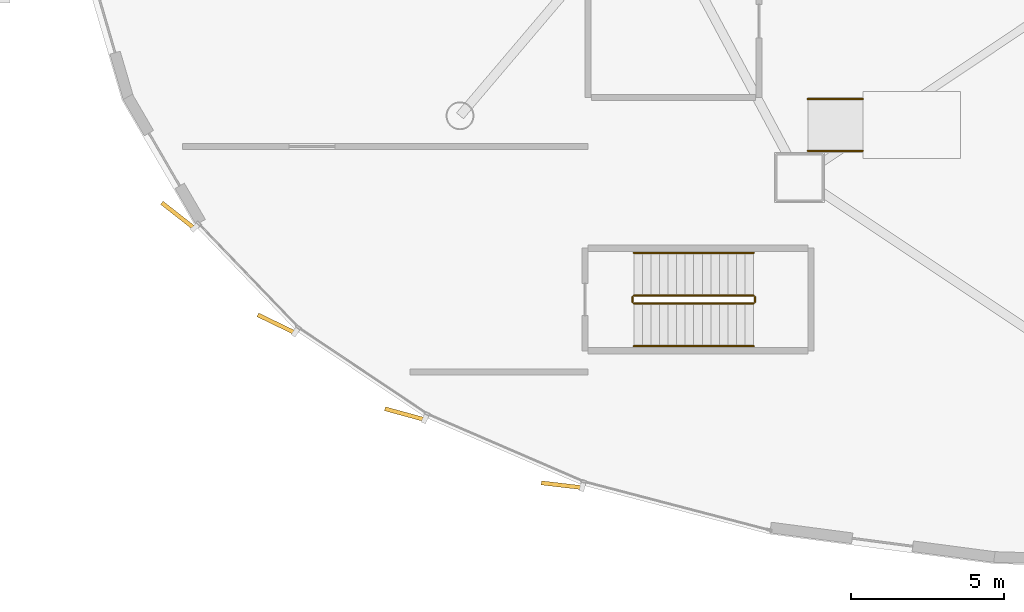
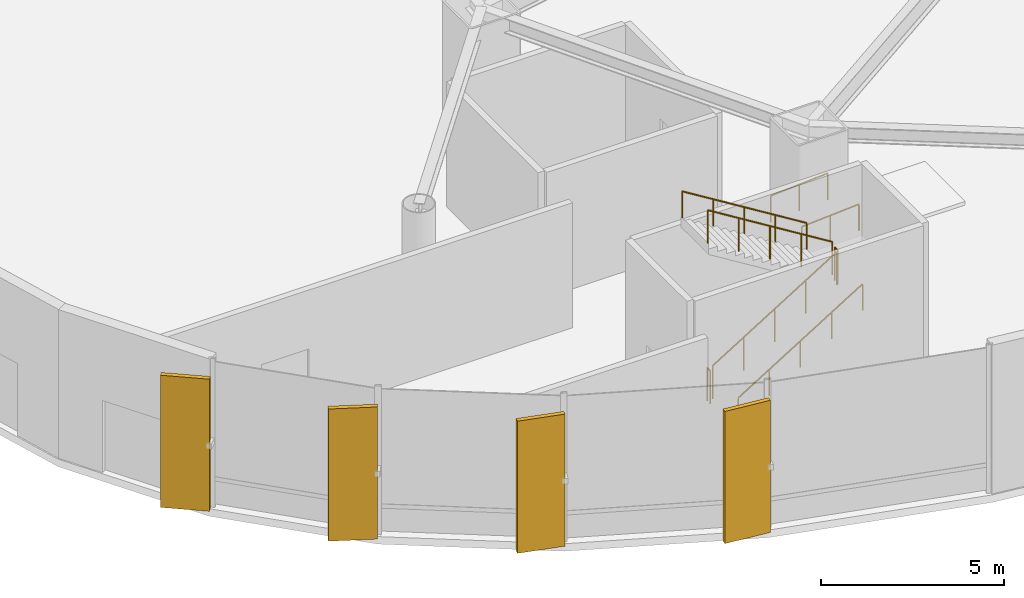
# One storey, part 29 of 35: 8 railings, 4 coverings.
"""IFC4 building model written with IfcOpenShell, lengths in metres."""

import ifcopenshell
import ifcopenshell.guid

model = None  # the IFC model being written
_history = None  # IfcOwnerHistory: only IFC2X3 demands one
_inside = {}  # id of a spatial element -> (the spatial element, [elements in it])
_under = {}  # id of a project, library or spatial element -> (it, [spatial elements below it])
_declared = {}  # id of a project -> (the project, [libraries it declares])
_typed = {}  # id of a type object -> (the type object, [elements of that type])
_made_of = {}  # id of a material, layer set ... -> (it, [elements and type objects made of it])


def new_model(schema):
    """Start an empty IFC model of exactly this schema.

    Asked for "IFC4X3", IfcOpenShell would pick the latest addendum, in which some entities
    have other attributes; the version numbers below select the first issue.
    IFC2X3 requires an IfcOwnerHistory on every rooted entity: one is made here for all.
    """
    global model, _history
    if schema == "IFC4X3":
        model = ifcopenshell.file(schema_version=(4, 3, 0, 0))
    else:
        model = ifcopenshell.file(schema=schema)
    _inside.clear()
    _under.clear()
    _declared.clear()
    _typed.clear()
    _made_of.clear()
    _history = None
    if model.schema == "IFC2X3":
        org = make("IfcOrganization", Name="unknown")
        user = make(
            "IfcPersonAndOrganization",
            ThePerson=make("IfcPerson", FamilyName="unknown"),
            TheOrganization=org,
        )
        app = make(
            "IfcApplication",
            ApplicationDeveloper=org,
            Version="unknown",
            ApplicationFullName="unknown",
            ApplicationIdentifier="unknown",
        )
        _history = make(
            "IfcOwnerHistory",
            OwningUser=user,
            OwningApplication=app,
            ChangeAction="ADDED",
            CreationDate=0,
        )
    return model


def make(cls, **values):
    """One entity of the class cls with the attributes given. An attribute that is None is left unset."""
    return model.create_entity(
        cls, **{name: value for name, value in values.items() if value is not None}
    )


def rooted(cls, **values):
    """An entity with a GlobalId (a new one), such as an element, a storey or a relation."""
    return make(cls, GlobalId=ifcopenshell.guid.new(), OwnerHistory=_history, **values)


def si_unit(unit_type, name, prefix=None):
    """IfcSIUnit, for example si_unit("LENGTHUNIT", "METRE", prefix="MILLI")."""
    return make("IfcSIUnit", UnitType=unit_type, Prefix=prefix, Name=name)


def assignment(units):
    """IfcUnitAssignment: the units of a project."""
    return None if units is None else make("IfcUnitAssignment", Units=units)


def point(xyz):
    """IfcCartesianPoint."""
    return None if xyz is None else make("IfcCartesianPoint", Coordinates=xyz)


def direction(xyz):
    """IfcDirection."""
    return None if xyz is None else make("IfcDirection", DirectionRatios=xyz)


def frame(location, z_axis=None, x_axis=None):
    """IfcAxis2Placement3D, a coordinate frame: its origin and axes. An axis left out is left unset."""
    return make(
        "IfcAxis2Placement3D",
        Location=point(location),
        Axis=direction(z_axis),
        RefDirection=direction(x_axis),
    )


def frame_2d(location, x_axis=None):
    """IfcAxis2Placement2D, a coordinate frame in the plane: its origin and x axis."""
    return make(
        "IfcAxis2Placement2D", Location=point(location), RefDirection=direction(x_axis)
    )


def origin():
    """The frame at (0, 0, 0) with its axes left unset."""
    return frame((0.0, 0.0, 0.0))


def origin_2d():
    """The frame at (0, 0) in the plane with its x axis left unset."""
    return frame_2d((0.0, 0.0))


def place(relative_to, where):
    """IfcLocalPlacement: puts the frame where relative to a parent placement (None: the world)."""
    return make(
        "IfcLocalPlacement", PlacementRelTo=relative_to, RelativePlacement=where
    )


def context(
    kind, dimensions, precision=None, world=None, true_north=None, identifier=None
):
    """IfcGeometricRepresentationContext, for example the 3D "Model" context."""
    return make(
        "IfcGeometricRepresentationContext",
        ContextIdentifier=identifier,
        ContextType=kind,
        CoordinateSpaceDimension=dimensions,
        Precision=precision,
        WorldCoordinateSystem=world,
        TrueNorth=true_north,
    )


def subcontext(parent, identifier, kind, view, scale=None):
    """IfcGeometricRepresentationSubContext, for example "Body" below "Model"."""
    return make(
        "IfcGeometricRepresentationSubContext",
        ContextIdentifier=identifier,
        ContextType=kind,
        ParentContext=parent,
        TargetScale=scale,
        TargetView=view,
    )


def project(units=None, contexts=None):
    """IfcProject with its units and contexts."""
    return rooted(
        "IfcProject",
        Name="project",
        RepresentationContexts=contexts,
        UnitsInContext=assignment(units),
    )


def spatial(cls, under=None, at=None, **own):
    """A site, building, storey or space (cls), placed at a placement, below another one or the project."""
    s = rooted(cls, ObjectPlacement=at, **own)
    if under is not None:
        _under.setdefault(under.id(), (under, []))[1].append(s)
    return s


def profile(cls, at=None, kind="AREA", **sizes):
    """A parametric profile (cls). Its sizes go by their IFC names, for example OverallWidth=200.0."""
    return make(cls, ProfileType=kind, Position=at, **sizes)


def rectangle(**sizes):
    """IfcRectangleProfileDef."""
    return profile("IfcRectangleProfileDef", **sizes)


def circle(**sizes):
    """IfcCircleProfileDef."""
    return profile("IfcCircleProfileDef", **sizes)


def extrude(swept, where, along, depth):
    """IfcExtrudedAreaSolid: the profile swept, set in the frame where, extruded along a direction by depth."""
    return make(
        "IfcExtrudedAreaSolid",
        SweptArea=swept,
        Position=where,
        ExtrudedDirection=direction(along),
        Depth=depth,
    )


def shape(context_of_items, identifier, shape_type, items):
    """IfcShapeRepresentation: the items that make up one representation, for example the "Body"."""
    return make(
        "IfcShapeRepresentation",
        ContextOfItems=context_of_items,
        RepresentationIdentifier=identifier,
        RepresentationType=shape_type,
        Items=items,
    )


def source(mapping_origin, context_of_items, identifier, shape_type, items):
    """IfcRepresentationMap: a shape defined once, which mapped items show again and again."""
    return make(
        "IfcRepresentationMap",
        MappingOrigin=mapping_origin,
        MappedRepresentation=shape(context_of_items, identifier, shape_type, items),
    )


def transform(
    local_origin,
    x_axis=None,
    y_axis=None,
    z_axis=None,
    scale=None,
    scale2=None,
    scale3=None,
    uniform=True,
):
    """IfcCartesianTransformationOperator3D, or its non-uniform kind. x_axis, y_axis, z_axis: its Axis1, 2, 3."""
    if uniform:
        return make(
            "IfcCartesianTransformationOperator3D",
            Axis1=direction(x_axis),
            Axis2=direction(y_axis),
            LocalOrigin=point(local_origin),
            Scale=scale,
            Axis3=direction(z_axis),
        )
    return make(
        "IfcCartesianTransformationOperator3DnonUniform",
        Axis1=direction(x_axis),
        Axis2=direction(y_axis),
        LocalOrigin=point(local_origin),
        Scale=scale,
        Axis3=direction(z_axis),
        Scale2=scale2,
        Scale3=scale3,
    )


def mapped(mapping_source, mapping_target):
    """IfcMappedItem: shows the shape of a source again, moved by a transform."""
    return make(
        "IfcMappedItem", MappingSource=mapping_source, MappingTarget=mapping_target
    )


def material(Name=None, Category=None):
    """IfcMaterial."""
    return make("IfcMaterial", Name=Name, Category=Category)


def layer(
    of_material, thickness, ventilated=None, Name=None, Category=None, Priority=None
):
    """IfcMaterialLayer: one layer of a wall or slab, of a material (None: an air gap)."""
    return make(
        "IfcMaterialLayer",
        Material=of_material,
        LayerThickness=thickness,
        IsVentilated=ventilated,
        Name=Name,
        Category=Category,
        Priority=Priority,
    )


def layer_set(layers, Name=None):
    """IfcMaterialLayerSet."""
    return make("IfcMaterialLayerSet", MaterialLayers=layers, LayerSetName=Name)


def made_of(thing, what):
    """Note that an element or type object is made of a material, layer set ...; save() writes the relation."""
    if what is not None:
        _made_of.setdefault(what.id(), (what, []))[1].append(thing)
    return thing


def type_object(cls, material=None, **own):
    """A type object (cls), such as IfcWallType, which elements share."""
    return made_of(rooted(cls, **own), material)


def element(
    cls,
    number,
    at=None,
    inside=None,
    cuts=None,
    type_object=None,
    material=None,
    context=None,
    identifier="Body",
    shape_type=None,
    held_by="IfcProductDefinitionShape",
    body=None,
    shapes=None,
    **own,
):
    """One element of the class cls, such as IfcWall. Its Tag is "e" and its number.

    at: its placement. inside: the storey or other place that contains it. cuts: it is an
    opening in that element (IfcRelVoidsElement). A single representation is given by context,
    identifier, shape_type and body (its items); several are given by shapes. held_by: the class
    of the entity that holds the representations. save() writes the other relations.
    """
    e = rooted(cls, Tag="e%d" % number, ObjectPlacement=at, **own)
    if body is not None:
        shapes = [shape(context, identifier, shape_type, body)]
    if shapes is not None:
        e.Representation = make(held_by, Representations=shapes)
    if inside is not None:
        _inside.setdefault(inside.id(), (inside, []))[1].append(e)
    if cuts is not None:
        rooted(
            "IfcRelVoidsElement", RelatingBuildingElement=cuts, RelatedOpeningElement=e
        )
    if type_object is not None:
        _typed.setdefault(type_object.id(), (type_object, []))[1].append(e)
    return made_of(e, material)


def aggregate(whole, parts):
    """IfcRelAggregates: a whole, such as a stair, and the parts it consists of."""
    return rooted("IfcRelAggregates", RelatingObject=whole, RelatedObjects=parts)


def save(model, path):
    """Write the relations noted so far, then the file.

    IfcRelAggregates (storeys below a building ...), IfcRelContainedInSpatialStructure (elements
    in a storey), IfcRelDefinesByType, IfcRelAssociatesMaterial and IfcRelDeclares: one each for
    every whole, place, type object, material and project.
    """
    for whole, parts in _under.values():
        aggregate(whole, parts)
    for where, things in _inside.values():
        rooted(
            "IfcRelContainedInSpatialStructure",
            RelatedElements=things,
            RelatingStructure=where,
        )
    for kind, things in _typed.values():
        rooted("IfcRelDefinesByType", RelatedObjects=things, RelatingType=kind)
    for what, things in _made_of.values():
        rooted("IfcRelAssociatesMaterial", RelatedObjects=things, RelatingMaterial=what)
    for by, libraries in _declared.values():
        rooted("IfcRelDeclares", RelatingContext=by, RelatedDefinitions=libraries)
    model.write(path)


model = new_model("IFC4")

# Units and contexts
model_context = context("Model", 3, precision=1e-05, world=origin(), true_north=direction((0.0, 1.0)))
body_context = subcontext(model_context, "Body", "Model", "MODEL_VIEW")
ifc_project = project(units=[si_unit("LENGTHUNIT", "METRE"), si_unit("AREAUNIT", "SQUARE_METRE"), si_unit("VOLUMEUNIT", "CUBIC_METRE"), si_unit("PLANEANGLEUNIT", "RADIAN"), si_unit("MASSUNIT", "GRAM", prefix="KILO"), si_unit("THERMODYNAMICTEMPERATUREUNIT", "KELVIN")], contexts=[model_context])

# Site, building, storey
site_placement = place(None, origin())
site = spatial("IfcSite", under=ifc_project, at=site_placement, CompositionType="ELEMENT")
building_placement = place(site_placement, origin())
building = spatial("IfcBuilding", under=site, at=building_placement, Name="Kethvar Cultural Tower", CompositionType="ELEMENT")
storey_placement = place(building_placement, origin())
storey = spatial("IfcBuildingStorey", under=building, at=storey_placement, Name="L00", CompositionType="ELEMENT", Elevation=0.0)

# Railings
ifc_material_1 = material(Name="Steel S355J2", Category="steel")
railing_type_1 = type_object("IfcRailingType", Name="RL-STAIR-GUARD", PredefinedType="BALUSTRADE", material=ifc_material_1)
railing_1_placement = place(storey_placement, frame((19.5, 9.050048828125, 0.17333984375)))
element("IfcRailing", 1, at=railing_1_placement, inside=storey, type_object=railing_type_1, Name="L00 ST-04 stair guard 1", PredefinedType="BALUSTRADE", context=body_context, shape_type="SweptSolid", body=[
    extrude(circle(Radius=0.02392578125, at=origin_2d()), frame((0.0, 0.0, 1.09619140625), z_axis=(0.850251603719, 0.0, 0.526376491091), x_axis=(0.0, 1.0, 0.0)), (0.0, 0.0, 1.0), 4.6103515625),
    extrude(circle(Radius=0.02099609375, at=origin_2d()), origin(), (0.0, 0.0, 1.0), 1.072021484375),
    extrude(circle(Radius=0.02099609375, at=origin_2d()), frame((0.97998046875, 0.0, 0.606689453125)), (0.0, 0.0, 1.0), 1.072021484375),
    extrude(circle(Radius=0.02099609375, at=origin_2d()), frame((1.9599609375, 0.0, 1.21337890625)), (0.0, 0.0, 1.0), 1.072021484375),
    extrude(circle(Radius=0.02099609375, at=origin_2d()), frame((2.93994140625, 0.0, 1.820068359375)), (0.0, 0.0, 1.0), 1.072021484375),
    extrude(circle(Radius=0.02099609375, at=origin_2d()), frame((3.919921875, 0.0, 2.4267578125)), (0.0, 0.0, 1.0), 1.072021484375),
])
railing_2_placement = place(storey_placement, frame((23.469970703125, 9.10009765625, 2.60009765625)))
element("IfcRailing", 2, at=railing_2_placement, inside=storey, type_object=railing_type_1, Name="L00 ST-04 stair guard 2", PredefinedType="BALUSTRADE", context=body_context, shape_type="SweptSolid", body=[
    extrude(circle(Radius=0.02392578125, at=origin_2d()), frame((0.0, 0.0, 1.09619140625), z_axis=(0.0, 1.0, 0.0), x_axis=(-1.0, 0.0, 0.0)), (0.0, 0.0, 1.0), 0.159912109375),
    extrude(circle(Radius=0.02099609375, at=origin_2d()), origin(), (0.0, 0.0, 1.0), 1.072021484375),
    extrude(circle(Radius=0.02099609375, at=origin_2d()), frame((0.0, 0.159912109375, 0.0)), (0.0, 0.0, 1.0), 1.072021484375),
])
railing_3_placement = place(storey_placement, frame((23.419921875, 9.31005859375, 2.7734375)))
element("IfcRailing", 3, at=railing_3_placement, inside=storey, type_object=railing_type_1, Name="L00 ST-04 stair guard 3", PredefinedType="BALUSTRADE", context=body_context, shape_type="SweptSolid", body=[
    extrude(circle(Radius=0.02392578125, at=origin_2d()), frame((0.0, 0.0, 1.09619140625), z_axis=(-0.850275303828, 0.0, 0.526338206574), x_axis=(0.0, -1.0, 0.0)), (0.0, 0.0, 1.0), 4.610107421875),
    extrude(circle(Radius=0.02099609375, at=origin_2d()), origin(), (0.0, 0.0, 1.0), 1.072021484375),
    extrude(circle(Radius=0.02099609375, at=origin_2d()), frame((-0.97998046875, 0.0, 0.606689453125)), (0.0, 0.0, 1.0), 1.072021484375),
    extrude(circle(Radius=0.02099609375, at=origin_2d()), frame((-1.9599609375, 0.0, 1.21337890625)), (0.0, 0.0, 1.0), 1.072021484375),
    extrude(circle(Radius=0.02099609375, at=origin_2d()), frame((-2.93994140625, 0.0, 1.81982421875)), (0.0, 0.0, 1.0), 1.072021484375),
    extrude(circle(Radius=0.02099609375, at=origin_2d()), frame((-3.919921875, 0.0, 2.426513671875)), (0.0, 0.0, 1.0), 1.072021484375),
])
railing_4_placement = place(storey_placement, frame((19.449951171875, 9.10009765625, 0.0)))
element("IfcRailing", 4, at=railing_4_placement, inside=storey, type_object=railing_type_1, Name="L00 ST-04 stair guard 4", PredefinedType="BALUSTRADE", context=body_context, shape_type="SweptSolid", body=[
    extrude(circle(Radius=0.02392578125, at=origin_2d()), frame((0.0, 0.0, 1.09619140625), z_axis=(0.0, 1.0, 0.0), x_axis=(-1.0, 0.0, 0.0)), (0.0, 0.0, 1.0), 0.159912109375),
    extrude(circle(Radius=0.02099609375, at=origin_2d()), origin(), (0.0, 0.0, 1.0), 1.072021484375),
    extrude(circle(Radius=0.02099609375, at=origin_2d()), frame((0.0, 0.159912109375, 0.0)), (0.0, 0.0, 1.0), 1.072021484375),
])
railing_type_2 = type_object("IfcRailingType", Name="RL-STAIR-HANDRAIL", PredefinedType="HANDRAIL", material=ifc_material_1)
railing_5_placement = place(storey_placement, frame((19.5, 7.64990234375, 0.17333984375)))
element("IfcRailing", 5, at=railing_5_placement, inside=storey, type_object=railing_type_2, Name="L00 ST-04 stair handrail 1", PredefinedType="HANDRAIL", context=body_context, shape_type="SweptSolid", body=[
    extrude(circle(Radius=0.02392578125, at=origin_2d()), frame((0.0, 0.0, 0.8759765625), z_axis=(0.850251603719, 0.0, 0.526376491091), x_axis=(0.0, 1.0, 0.0)), (0.0, 0.0, 1.0), 4.6103515625),
    extrude(circle(Radius=0.02099609375, at=origin_2d()), origin(), (0.0, 0.0, 1.0), 0.851806640625),
    extrude(circle(Radius=0.02099609375, at=origin_2d()), frame((0.97998046875, 0.0, 0.606689453125)), (0.0, 0.0, 1.0), 0.851806640625),
    extrude(circle(Radius=0.02099609375, at=origin_2d()), frame((1.9599609375, 0.0, 1.21337890625)), (0.0, 0.0, 1.0), 0.851806640625),
    extrude(circle(Radius=0.02099609375, at=origin_2d()), frame((2.93994140625, 0.0, 1.820068359375)), (0.0, 0.0, 1.0), 0.851806640625),
    extrude(circle(Radius=0.02099609375, at=origin_2d()), frame((3.919921875, 0.0, 2.4267578125)), (0.0, 0.0, 1.0), 0.851806640625),
])
railing_6_placement = place(storey_placement, frame((23.419921875, 10.7099609375, 2.7734375)))
element("IfcRailing", 6, at=railing_6_placement, inside=storey, type_object=railing_type_2, Name="L00 ST-04 stair handrail 2", PredefinedType="HANDRAIL", context=body_context, shape_type="SweptSolid", body=[
    extrude(circle(Radius=0.02392578125, at=origin_2d()), frame((0.0, 0.0, 0.8759765625), z_axis=(-0.850275303828, 0.0, 0.526338206574), x_axis=(0.0, -1.0, 0.0)), (0.0, 0.0, 1.0), 4.610107421875),
    extrude(circle(Radius=0.02099609375, at=origin_2d()), origin(), (0.0, 0.0, 1.0), 0.851806640625),
    extrude(circle(Radius=0.02099609375, at=origin_2d()), frame((-0.97998046875, 0.0, 0.606689453125)), (0.0, 0.0, 1.0), 0.851806640625),
    extrude(circle(Radius=0.02099609375, at=origin_2d()), frame((-1.9599609375, 0.0, 1.21337890625)), (0.0, 0.0, 1.0), 0.851806640625),
    extrude(circle(Radius=0.02099609375, at=origin_2d()), frame((-2.93994140625, 0.0, 1.81982421875)), (0.0, 0.0, 1.0), 0.851806640625),
    extrude(circle(Radius=0.02099609375, at=origin_2d()), frame((-3.919921875, 0.0, 2.426513671875)), (0.0, 0.0, 1.0), 0.851806640625),
])
for number, where, name in (
    (7, (25.199951171875, 14.050048828125, 0.0), "L00 Accessible Ramp Handrail S"),
    (8, (25.199951171875, 15.75, 0.0), "L00 Accessible Ramp Handrail N"),
):
    element("IfcRailing", number, at=place(storey_placement, frame(where)), inside=storey, type_object=railing_type_2, Name=name, PredefinedType="HANDRAIL", context=body_context, shape_type="SweptSolid", body=[
        extrude(circle(Radius=0.02392578125, at=origin_2d()), frame((0.0, 0.0, 0.8759765625), z_axis=(0.997780964268, 0.0, 0.0665818845), x_axis=(0.0, 1.0, 0.0)), (0.0, 0.0, 1.0), 1.803955078125),
        extrude(circle(Radius=0.02099609375, at=origin_2d()), origin(), (0.0, 0.0, 1.0), 0.851806640625),
        extrude(circle(Radius=0.02099609375, at=origin_2d()), frame((0.89990234375, 0.0, 0.06005859375)), (0.0, 0.0, 1.0), 0.851806640625),
        extrude(circle(Radius=0.02099609375, at=origin_2d()), frame((1.800048828125, 0.0, 0.1201171875)), (0.0, 0.0, 1.0), 0.851806640625),
    ])

# Coverings
ifc_material_2 = material(Name="Extruded Architectural Terracotta", Category="masonry")
ifc_layer = layer(ifc_material_2, 0.135009765625, Name="Extruded Architectural Terracotta", Category="masonry")
ifc_layer_set = layer_set([ifc_layer], Name="Extruded Architectural Terracotta (135 mm)")
covering_type = type_object("IfcCoveringType", Name="Terracotta Facade Fin FIN-04", PredefinedType="CLADDING", material=ifc_layer_set)
shared_shape = source(origin(), body_context, "Body", "SweptSolid", [
    extrude(rectangle(XDim=1.35009765625, YDim=0.135009765625, at=origin_2d()), origin(), (0.0, 0.0, 1.0), 4.39990234375),
])
for number, where, z_axis, x_axis, name in (
    (9, (4.560546875, 11.93212890625, 0.02001953125), (0.0, 0.0, 1.0), (-0.786935021961, 0.617035875141, 0.0), "L00 Vertical Terracotta Fin 3.1"),
    (10, (7.784912109375, 8.381591796875, 0.02001953125), (0.0, 0.0, 1.0), (-0.900166792241, 0.435545343388, 0.0), "L00 Vertical Terracotta Fin 3.2"),
    (11, (11.990966796875, 5.421142578125, 0.02001953125), (0.0, 0.0, 1.0), (-0.964326778534, 0.264714684522, 0.0), "L00 Vertical Terracotta Fin 3.3"),
    (12, (17.135986328125, 3.091796875, 0.02001953125), (0.0, 0.0, 1.0), (-0.993251859042, 0.115977344809, 0.0), "L00 Vertical Terracotta Fin 3.4"),
):
    element("IfcCovering", number, at=place(storey_placement, frame(where, z_axis=z_axis, x_axis=x_axis)), inside=storey, type_object=covering_type, Name=name, PredefinedType="CLADDING", context=body_context, shape_type="MappedRepresentation", body=[
        mapped(shared_shape, transform((0.0, 0.0, 0.0), scale=1.0)),
    ])

save(model, "model.ifc")
